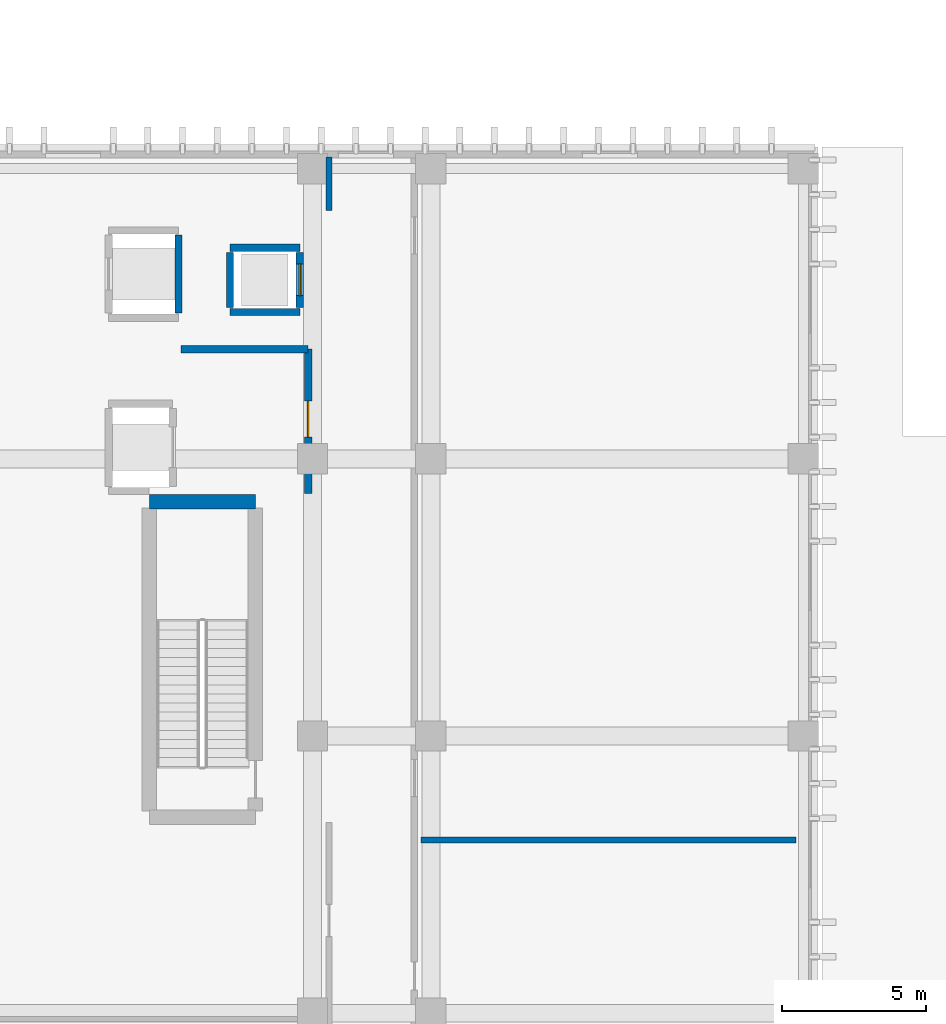
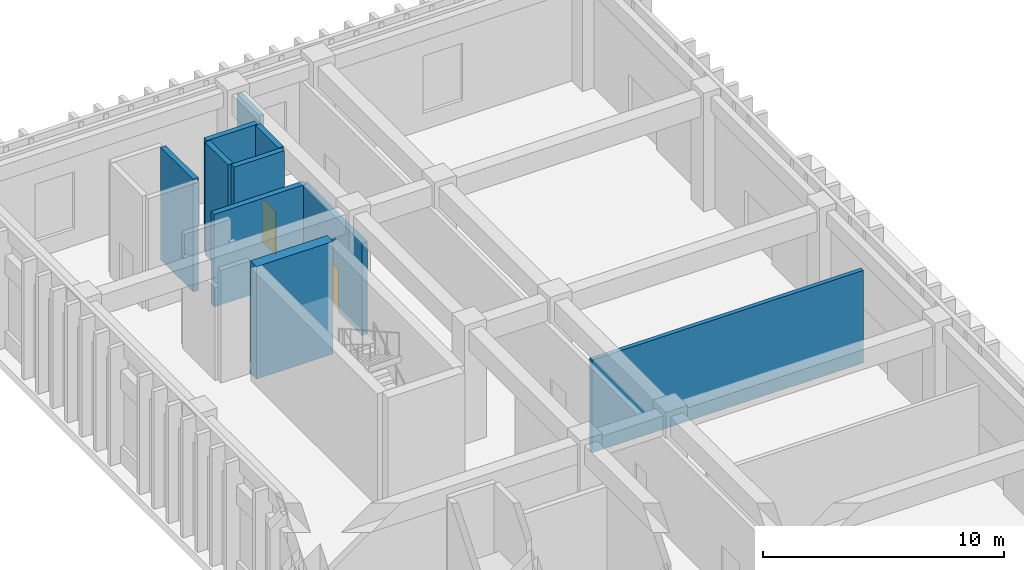
# One storey, part 50 of 87: 10 walls, 2 doors, 2 openings.
"""IFC4 building model written with IfcOpenShell, lengths in metres."""

import ifcopenshell
import ifcopenshell.guid

model = None  # the IFC model being written
_history = None  # IfcOwnerHistory: only IFC2X3 demands one
_inside = {}  # id of a spatial element -> (the spatial element, [elements in it])
_under = {}  # id of a project, library or spatial element -> (it, [spatial elements below it])
_declared = {}  # id of a project -> (the project, [libraries it declares])
_typed = {}  # id of a type object -> (the type object, [elements of that type])
_made_of = {}  # id of a material, layer set ... -> (it, [elements and type objects made of it])


def new_model(schema):
    """Start an empty IFC model of exactly this schema.

    Asked for "IFC4X3", IfcOpenShell would pick the latest addendum, in which some entities
    have other attributes; the version numbers below select the first issue.
    IFC2X3 requires an IfcOwnerHistory on every rooted entity: one is made here for all.
    """
    global model, _history
    if schema == "IFC4X3":
        model = ifcopenshell.file(schema_version=(4, 3, 0, 0))
    else:
        model = ifcopenshell.file(schema=schema)
    _inside.clear()
    _under.clear()
    _declared.clear()
    _typed.clear()
    _made_of.clear()
    _history = None
    if model.schema == "IFC2X3":
        org = make("IfcOrganization", Name="unknown")
        user = make(
            "IfcPersonAndOrganization",
            ThePerson=make("IfcPerson", FamilyName="unknown"),
            TheOrganization=org,
        )
        app = make(
            "IfcApplication",
            ApplicationDeveloper=org,
            Version="unknown",
            ApplicationFullName="unknown",
            ApplicationIdentifier="unknown",
        )
        _history = make(
            "IfcOwnerHistory",
            OwningUser=user,
            OwningApplication=app,
            ChangeAction="ADDED",
            CreationDate=0,
        )
    return model


def make(cls, **values):
    """One entity of the class cls with the attributes given. An attribute that is None is left unset."""
    return model.create_entity(
        cls, **{name: value for name, value in values.items() if value is not None}
    )


def rooted(cls, **values):
    """An entity with a GlobalId (a new one), such as an element, a storey or a relation."""
    return make(cls, GlobalId=ifcopenshell.guid.new(), OwnerHistory=_history, **values)


def si_unit(unit_type, name, prefix=None):
    """IfcSIUnit, for example si_unit("LENGTHUNIT", "METRE", prefix="MILLI")."""
    return make("IfcSIUnit", UnitType=unit_type, Prefix=prefix, Name=name)


def assignment(units):
    """IfcUnitAssignment: the units of a project."""
    return None if units is None else make("IfcUnitAssignment", Units=units)


def point(xyz):
    """IfcCartesianPoint."""
    return None if xyz is None else make("IfcCartesianPoint", Coordinates=xyz)


def direction(xyz):
    """IfcDirection."""
    return None if xyz is None else make("IfcDirection", DirectionRatios=xyz)


def frame(location, z_axis=None, x_axis=None):
    """IfcAxis2Placement3D, a coordinate frame: its origin and axes. An axis left out is left unset."""
    return make(
        "IfcAxis2Placement3D",
        Location=point(location),
        Axis=direction(z_axis),
        RefDirection=direction(x_axis),
    )


def frame_2d(location, x_axis=None):
    """IfcAxis2Placement2D, a coordinate frame in the plane: its origin and x axis."""
    return make(
        "IfcAxis2Placement2D", Location=point(location), RefDirection=direction(x_axis)
    )


def origin():
    """The frame at (0, 0, 0) with its axes left unset."""
    return frame((0.0, 0.0, 0.0))


def place(relative_to, where):
    """IfcLocalPlacement: puts the frame where relative to a parent placement (None: the world)."""
    return make(
        "IfcLocalPlacement", PlacementRelTo=relative_to, RelativePlacement=where
    )


def context(
    kind, dimensions, precision=None, world=None, true_north=None, identifier=None
):
    """IfcGeometricRepresentationContext, for example the 3D "Model" context."""
    return make(
        "IfcGeometricRepresentationContext",
        ContextIdentifier=identifier,
        ContextType=kind,
        CoordinateSpaceDimension=dimensions,
        Precision=precision,
        WorldCoordinateSystem=world,
        TrueNorth=true_north,
    )


def subcontext(parent, identifier, kind, view, scale=None):
    """IfcGeometricRepresentationSubContext, for example "Body" below "Model"."""
    return make(
        "IfcGeometricRepresentationSubContext",
        ContextIdentifier=identifier,
        ContextType=kind,
        ParentContext=parent,
        TargetScale=scale,
        TargetView=view,
    )


def project(units=None, contexts=None):
    """IfcProject with its units and contexts."""
    return rooted(
        "IfcProject",
        Name="project",
        RepresentationContexts=contexts,
        UnitsInContext=assignment(units),
    )


def spatial(cls, under=None, at=None, **own):
    """A site, building, storey or space (cls), placed at a placement, below another one or the project."""
    s = rooted(cls, ObjectPlacement=at, **own)
    if under is not None:
        _under.setdefault(under.id(), (under, []))[1].append(s)
    return s


def profile(cls, at=None, kind="AREA", **sizes):
    """A parametric profile (cls). Its sizes go by their IFC names, for example OverallWidth=200.0."""
    return make(cls, ProfileType=kind, Position=at, **sizes)


def rectangle(**sizes):
    """IfcRectangleProfileDef."""
    return profile("IfcRectangleProfileDef", **sizes)


def extrude(swept, where, along, depth):
    """IfcExtrudedAreaSolid: the profile swept, set in the frame where, extruded along a direction by depth."""
    return make(
        "IfcExtrudedAreaSolid",
        SweptArea=swept,
        Position=where,
        ExtrudedDirection=direction(along),
        Depth=depth,
    )


def shape(context_of_items, identifier, shape_type, items):
    """IfcShapeRepresentation: the items that make up one representation, for example the "Body"."""
    return make(
        "IfcShapeRepresentation",
        ContextOfItems=context_of_items,
        RepresentationIdentifier=identifier,
        RepresentationType=shape_type,
        Items=items,
    )


def material(Name=None, Category=None):
    """IfcMaterial."""
    return make("IfcMaterial", Name=Name, Category=Category)


def layer(
    of_material, thickness, ventilated=None, Name=None, Category=None, Priority=None
):
    """IfcMaterialLayer: one layer of a wall or slab, of a material (None: an air gap)."""
    return make(
        "IfcMaterialLayer",
        Material=of_material,
        LayerThickness=thickness,
        IsVentilated=ventilated,
        Name=Name,
        Category=Category,
        Priority=Priority,
    )


def layer_set(layers, Name=None):
    """IfcMaterialLayerSet."""
    return make("IfcMaterialLayerSet", MaterialLayers=layers, LayerSetName=Name)


def made_of(thing, what):
    """Note that an element or type object is made of a material, layer set ...; save() writes the relation."""
    if what is not None:
        _made_of.setdefault(what.id(), (what, []))[1].append(thing)
    return thing


def type_object(cls, material=None, **own):
    """A type object (cls), such as IfcWallType, which elements share."""
    return made_of(rooted(cls, **own), material)


def element(
    cls,
    number,
    at=None,
    inside=None,
    cuts=None,
    type_object=None,
    material=None,
    context=None,
    identifier="Body",
    shape_type=None,
    held_by="IfcProductDefinitionShape",
    body=None,
    shapes=None,
    **own,
):
    """One element of the class cls, such as IfcWall. Its Tag is "e" and its number.

    at: its placement. inside: the storey or other place that contains it. cuts: it is an
    opening in that element (IfcRelVoidsElement). A single representation is given by context,
    identifier, shape_type and body (its items); several are given by shapes. held_by: the class
    of the entity that holds the representations. save() writes the other relations.
    """
    e = rooted(cls, Tag="e%d" % number, ObjectPlacement=at, **own)
    if body is not None:
        shapes = [shape(context, identifier, shape_type, body)]
    if shapes is not None:
        e.Representation = make(held_by, Representations=shapes)
    if inside is not None:
        _inside.setdefault(inside.id(), (inside, []))[1].append(e)
    if cuts is not None:
        rooted(
            "IfcRelVoidsElement", RelatingBuildingElement=cuts, RelatedOpeningElement=e
        )
    if type_object is not None:
        _typed.setdefault(type_object.id(), (type_object, []))[1].append(e)
    return made_of(e, material)


def fill(opening, filler):
    """IfcRelFillsElement: the door or window that sits in an opening."""
    return rooted(
        "IfcRelFillsElement",
        RelatingOpeningElement=opening,
        RelatedBuildingElement=filler,
    )


def aggregate(whole, parts):
    """IfcRelAggregates: a whole, such as a stair, and the parts it consists of."""
    return rooted("IfcRelAggregates", RelatingObject=whole, RelatedObjects=parts)


def save(model, path):
    """Write the relations noted so far, then the file.

    IfcRelAggregates (storeys below a building ...), IfcRelContainedInSpatialStructure (elements
    in a storey), IfcRelDefinesByType, IfcRelAssociatesMaterial and IfcRelDeclares: one each for
    every whole, place, type object, material and project.
    """
    for whole, parts in _under.values():
        aggregate(whole, parts)
    for where, things in _inside.values():
        rooted(
            "IfcRelContainedInSpatialStructure",
            RelatedElements=things,
            RelatingStructure=where,
        )
    for kind, things in _typed.values():
        rooted("IfcRelDefinesByType", RelatedObjects=things, RelatingType=kind)
    for what, things in _made_of.values():
        rooted("IfcRelAssociatesMaterial", RelatedObjects=things, RelatingMaterial=what)
    for by, libraries in _declared.values():
        rooted("IfcRelDeclares", RelatingContext=by, RelatedDefinitions=libraries)
    model.write(path)


model = new_model("IFC4")

# Units and contexts
model_context = context("Model", 3, precision=1e-05, world=origin(), true_north=direction((0.0, 1.0)))
body_context = subcontext(model_context, "Body", "Model", "MODEL_VIEW")
ifc_project = project(units=[si_unit("LENGTHUNIT", "METRE"), si_unit("AREAUNIT", "SQUARE_METRE"), si_unit("VOLUMEUNIT", "CUBIC_METRE"), si_unit("PLANEANGLEUNIT", "RADIAN"), si_unit("MASSUNIT", "GRAM", prefix="KILO")], contexts=[model_context])

# Site, building, storey
site_placement = place(None, origin())
site = spatial("IfcSite", under=ifc_project, at=site_placement, CompositionType="ELEMENT")
building_placement = place(site_placement, origin())
building = spatial("IfcBuilding", under=site, at=building_placement, Name="Nakhvara Creek Congress Hotel", CompositionType="ELEMENT")
storey_placement = place(building_placement, origin())
storey = spatial("IfcBuildingStorey", under=building, at=storey_placement, Name="L00", CompositionType="ELEMENT", Elevation=0.0)

# Walls
ifc_material_1 = material(Name="Concrete C50/60", Category="concrete")
ifc_layer_1 = layer(ifc_material_1, 0.5)
ifc_layer_set_1 = layer_set([ifc_layer_1], Name="Concrete C50/60")
wall_type_1 = type_object("IfcWallType", Name="W-CORE-500", PredefinedType="SHEAR", material=ifc_layer_set_1)
wall_1_placement = place(storey_placement, frame((156.699951171875, 113.719970703125, 0.0), z_axis=(0.0, 0.0, 1.0), x_axis=(1.0, 0.0, 0.0)))
element("IfcWall", 1, at=wall_1_placement, inside=storey, type_object=wall_type_1, Name="Core Shear Wall WS01-CWALL-L00-0305", PredefinedType="SHEAR", context=body_context, shape_type="SweptSolid", body=[
    extrude(rectangle(XDim=3.670166015625, YDim=0.5, at=frame_2d((1.8349609375, 0.0))), origin(), (0.0, 0.0, 1.0), 5.699951171875),
])
ifc_material_2 = material(Name="Gypsum acoustic board on steel stud", Category="steel")
ifc_layer_2 = layer(ifc_material_2, 0.219970703125)
ifc_layer_set_2 = layer_set([ifc_layer_2], Name="Gypsum acoustic board on steel stud")
wall_type_2 = type_object("IfcWallType", Name="W-CORR-220", PredefinedType="PARTITIONING", material=ifc_layer_set_2)
wall_2_placement = place(storey_placement, frame((162.919921875, 123.800048828125, 0.0), z_axis=(0.0, 0.0, 1.0), x_axis=(0.0, 1.0, 0.0)))
element("IfcWall", 2, at=wall_2_placement, inside=storey, type_object=wall_type_2, Name="Interior Wall WP11-IW-L00-0052", PredefinedType="PARTITIONING", context=body_context, shape_type="SweptSolid", body=[
    extrude(rectangle(XDim=1.849853515625, YDim=0.219970703125, at=frame_2d((0.9248046875, 0.0))), origin(), (0.0, 0.0, 1.0), 4.94189453125),
])

# Wall, opening, door
ifc_material_3 = material(Name="Concrete C40/50", Category="concrete")
ifc_layer_3 = layer(ifc_material_3, 0.260009765625)
ifc_layer_set_3 = layer_set([ifc_layer_3], Name="Concrete C40/50")
wall_type_3 = type_object("IfcWallType", Name="W-FFL-260", PredefinedType="SOLIDWALL", material=ifc_layer_set_3)
wall_3_placement = place(storey_placement, frame((162.199951171875, 114.0, 0.0), z_axis=(0.0, 0.0, 1.0), x_axis=(0.0, 1.0, 0.0)))
wall_3 = element("IfcWall", 3, at=wall_3_placement, inside=storey, type_object=wall_type_3, Name="Core Shear Wall WI03-CWALL-L00-0320", PredefinedType="SOLIDWALL", context=body_context, shape_type="SweptSolid", body=[
    extrude(rectangle(XDim=5.0, YDim=0.260009765625, at=frame_2d((2.5, 0.0))), origin(), (0.0, 0.0, 1.0), 4.69189453125),
])
opening_1_placement = place(wall_3_placement, frame((1.949951171875, 0.0, 0.0)))
opening_1 = element("IfcOpeningElement", 4, at=opening_1_placement, cuts=wall_3, Name="Opening FD05", PredefinedType="OPENING", context=body_context, shape_type="SweptSolid", body=[
    extrude(rectangle(XDim=1.25, YDim=2.14990234375, at=frame_2d((0.625, 1.074951171875))), frame((0.0, 0.14208984375, 0.0), z_axis=(0.0, -1.0, 0.0), x_axis=(1.0, 0.0, 0.0)), (0.0, 0.0, 1.0), 0.283935546875),
])
ifc_material_4 = material(Name="Hardwood-veneered steel fire door", Category="steel")
door_type_1 = type_object("IfcDoorType", Name="DT-FFL-125", OperationType="NOTDEFINED", PredefinedType="DOOR", material=ifc_material_4)
door_1_placement = place(opening_1_placement, origin())
door_1 = element("IfcDoor", 5, at=door_1_placement, inside=storey, type_object=door_type_1, Name="Firefighting Lobby Door C2-L00", OperationType="DOUBLE_DOOR_SINGLE_SWING", OverallHeight=2.14990234375, OverallWidth=1.25, PredefinedType="DOOR", context=body_context, shape_type="SweptSolid", body=[
    extrude(rectangle(XDim=1.25, YDim=2.14990234375, at=frame_2d((0.625, 1.074951171875))), frame((0.0, 0.02490234375, 0.0), z_axis=(0.0, -1.0, 0.0), x_axis=(1.0, 0.0, 0.0)), (0.0, 0.0, 1.0), 0.050048828125),
])
fill(opening_1, door_1)

# Walls
wall_4_placement = place(storey_placement, frame((157.800048828125, 119.0, 0.0), z_axis=(0.0, 0.0, 1.0), x_axis=(1.0, 0.0, 0.0)))
element("IfcWall", 6, at=wall_4_placement, inside=storey, type_object=wall_type_3, Name="Core Shear Wall WI03-CWALL-L00-0321", PredefinedType="SOLIDWALL", context=body_context, shape_type="SweptSolid", body=[
    extrude(rectangle(XDim=4.39990234375, YDim=0.260009765625, at=frame_2d((2.199951171875, 0.0))), origin(), (0.0, 0.0, 1.0), 4.69189453125),
])
ifc_layer_4 = layer(ifc_material_2, 0.199951171875)
ifc_layer_set_4 = layer_set([ifc_layer_4], Name="Gypsum acoustic board on steel stud")
wall_type_4 = type_object("IfcWallType", Name="W-PART-200", PredefinedType="PARTITIONING", material=ifc_layer_set_4)
wall_5_placement = place(storey_placement, frame((166.10009765625, 102.0, 0.0), z_axis=(0.0, 0.0, 1.0), x_axis=(1.0, 0.0, 0.0)))
element("IfcWall", 7, at=wall_5_placement, inside=storey, type_object=wall_type_4, Name="Interior Wall WP12-IW-L00-0077", PredefinedType="PARTITIONING", context=body_context, shape_type="SweptSolid", body=[
    extrude(rectangle(XDim=13.0, YDim=0.199951171875, at=frame_2d((6.5, 0.0))), origin(), (0.0, 0.0, 1.0), 4.69189453125),
])
ifc_layer_5 = layer(ifc_material_3, 0.25)
ifc_layer_set_5 = layer_set([ifc_layer_5], Name="Concrete C40/50")
wall_type_5 = type_object("IfcWallType", Name="W-SHAFT-250", PredefinedType="SOLIDWALL", material=ifc_layer_set_5)
for number, where, z_axis, x_axis, name in (
    (8, (159.489990234375, 120.2900390625, 0.0), (0.0, 0.0, 1.0), (1.0, 0.0, 0.0), "Core Shear Wall WI02-CWALL-L00-0312"),
    (9, (159.489990234375, 122.510009765625, 0.0), (0.0, 0.0, 1.0), (1.0, 0.0, 0.0), "Core Shear Wall WI02-CWALL-L00-0313"),
):
    element("IfcWall", number, at=place(storey_placement, frame(where, z_axis=z_axis, x_axis=x_axis)), inside=storey, type_object=wall_type_5, Name=name, PredefinedType="SOLIDWALL", context=body_context, shape_type="SweptSolid", body=[
        extrude(rectangle(XDim=2.419921875, YDim=0.25, at=frame_2d((1.2099609375, 0.0))), origin(), (0.0, 0.0, 1.0), 5.699951171875),
    ])
wall_6_placement = place(storey_placement, frame((159.489990234375, 120.449951171875, 0.0), z_axis=(0.0, 0.0, 1.0), x_axis=(0.0, 1.0, 0.0)))
element("IfcWall", 10, at=wall_6_placement, inside=storey, type_object=wall_type_5, Name="Core Shear Wall WI02-CWALL-L00-0314", PredefinedType="SOLIDWALL", context=body_context, shape_type="SweptSolid", body=[
    extrude(rectangle(XDim=1.900146484375, YDim=0.25, at=frame_2d((0.9501953125, 0.0))), origin(), (0.0, 0.0, 1.0), 5.699951171875),
])

# Wall, opening, door
wall_7_placement = place(storey_placement, frame((161.909912109375, 120.449951171875, 0.0), z_axis=(0.0, 0.0, 1.0), x_axis=(0.0, 1.0, 0.0)))
wall_7 = element("IfcWall", 11, at=wall_7_placement, inside=storey, type_object=wall_type_5, Name="Core Shear Wall WI02-CWALL-L00-0315", PredefinedType="SOLIDWALL", context=body_context, shape_type="SweptSolid", body=[
    extrude(rectangle(XDim=1.900146484375, YDim=0.25, at=frame_2d((0.9501953125, 0.0))), origin(), (0.0, 0.0, 1.0), 5.699951171875),
])
opening_2_placement = place(wall_7_placement, frame((0.39990234375, 0.0, 0.0)))
opening_2 = element("IfcOpeningElement", 12, at=opening_2_placement, cuts=wall_7, Name="Opening LD01", PredefinedType="OPENING", context=body_context, shape_type="SweptSolid", body=[
    extrude(rectangle(XDim=1.10009765625, YDim=2.199951171875, at=frame_2d((0.550048828125, 1.10009765625))), frame((0.0, 0.136962890625, 0.0), z_axis=(0.0, -1.0, 0.0), x_axis=(1.0, 0.0, 0.0)), (0.0, 0.0, 1.0), 0.27392578125),
])
ifc_material_5 = material(Name="Brushed stainless steel sliding landing door", Category="steel")
door_type_2 = type_object("IfcDoorType", Name="DT-LIFT-110", OperationType="DOUBLE_DOOR_SLIDING", PredefinedType="DOOR", material=ifc_material_5)
door_2_placement = place(opening_2_placement, origin())
door_2 = element("IfcDoor", 13, at=door_2_placement, inside=storey, type_object=door_type_2, Name="Landing Door PL01-L00", OperationType="SLIDING_TO_LEFT", OverallHeight=2.199951171875, OverallWidth=1.10009765625, PredefinedType="DOOR", context=body_context, shape_type="SweptSolid", body=[
    extrude(rectangle(XDim=1.10009765625, YDim=2.199951171875, at=frame_2d((0.550048828125, 1.10009765625))), frame((0.0, 0.02490234375, 0.0), z_axis=(0.0, -1.0, 0.0), x_axis=(1.0, 0.0, 0.0)), (0.0, 0.0, 1.0), 0.050048828125),
])
fill(opening_2, door_2)

# Wall
wall_8_placement = place(storey_placement, frame((157.7099609375, 120.25, 0.0), z_axis=(0.0, 0.0, 1.0), x_axis=(0.0, 1.0, 0.0)))
element("IfcWall", 14, at=wall_8_placement, inside=storey, type_object=wall_type_5, Name="Core Shear Wall WI02-CWALL-L00-0319", PredefinedType="SOLIDWALL", context=body_context, shape_type="SweptSolid", body=[
    extrude(rectangle(XDim=2.699951171875, YDim=0.25, at=frame_2d((1.35009765625, 0.0))), origin(), (0.0, 0.0, 1.0), 5.699951171875),
])

save(model, "model.ifc")
